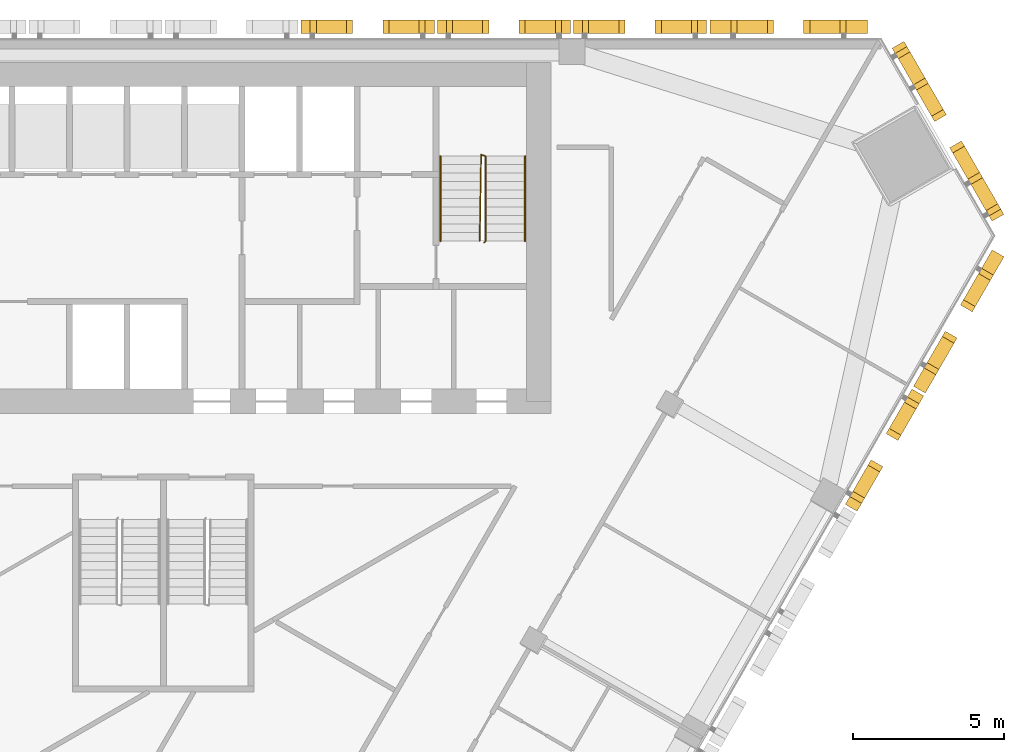
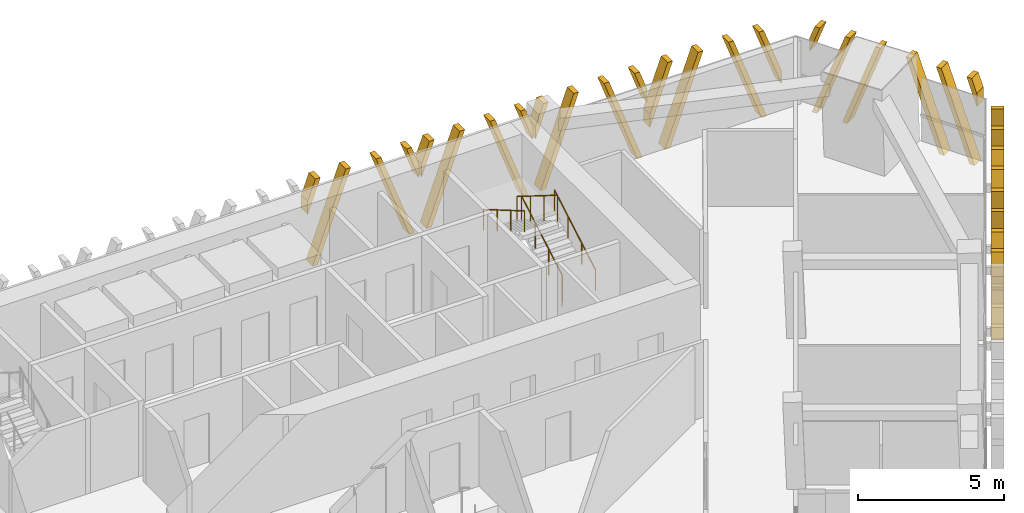
# One storey, part 14 of 15: 7 shading devices, 3 railings.
"""IFC4 building model written with IfcOpenShell, lengths in metres."""

from ifc_helpers import new_model, si_unit, direction, frame, origin, origin_2d, place, context, subcontext, project, spatial, polyline, circle, outline, extrude, source, transform, mapped, material, type_object, element, save


model = new_model("IFC4")

# Units and contexts
model_context = context("Model", 3, precision=1e-05, world=origin(), true_north=direction((0.0, 1.0)))
body_context = subcontext(model_context, "Body", "Model", "MODEL_VIEW")
ifc_project = project(units=[si_unit("LENGTHUNIT", "METRE"), si_unit("AREAUNIT", "SQUARE_METRE"), si_unit("VOLUMEUNIT", "CUBIC_METRE"), si_unit("PLANEANGLEUNIT", "RADIAN"), si_unit("MASSUNIT", "GRAM", prefix="KILO")], contexts=[model_context])

# Site, building, storey
site_placement = place(None, origin())
site = spatial("IfcSite", under=ifc_project, at=site_placement, CompositionType="ELEMENT")
building_placement = place(site_placement, origin())
building = spatial("IfcBuilding", under=site, at=building_placement, Name="Altiplano Prism Tower", CompositionType="ELEMENT")
storey_placement = place(building_placement, frame((0.0, 0.0, 142.199951171875)))
storey = spatial("IfcBuildingStorey", under=building, at=storey_placement, Name="L36", CompositionType="ELEMENT", Elevation=142.199951171875)

# Railings
ifc_material_1 = material(Name="Steel S355", Category="steel")
railing_type_1 = type_object("IfcRailingType", Name="Stair guard 1100", PredefinedType="GUARDRAIL", material=ifc_material_1)
railing_1_placement = place(storey_placement, frame((95.60009765625, 98.25, 0.0)))
element("IfcRailing", 1, at=railing_1_placement, inside=storey, type_object=railing_type_1, Name="L36 ST2 stair guard 1", PredefinedType="GUARDRAIL", context=body_context, shape_type="SweptSolid", body=[
    extrude(circle(Radius=0.02392578125, at=origin_2d()), frame((0.0, 0.0, 1.076171875), z_axis=(0.279546231943, 0.280916556609, 0.91811752648), x_axis=(-0.708833529934, 0.705375805398, 0.0)), (0.0, 0.0, 1.0), 0.17822265625),
    extrude(circle(Radius=0.02392578125, at=origin_2d()), frame((0.0498046875, 0.050048828125, 1.23974609375), z_axis=(0.0, 0.863360870873, 0.504586966384), x_axis=(-1.0, 0.0, 0.0)), (0.0, 0.0, 1.0), 3.2431640625),
    extrude(circle(Radius=0.02392578125, at=origin_2d()), frame((0.0498046875, 2.85009765625, 2.8759765625), z_axis=(-0.948991962702, 0.315300261223, 0.0), x_axis=(-0.315300261223, -0.948991962702, 0.0)), (0.0, 0.0, 1.0), 0.157958984375),
    extrude(circle(Radius=0.02392578125, at=origin_2d()), frame((-0.10009765625, 2.89990234375, 2.8759765625), z_axis=(-0.014846418356, -0.845376787675, 0.533964109957), x_axis=(0.999845825584, -0.017559187376, 0.0)), (0.0, 0.0, 1.0), 3.37109375),
    extrude(circle(Radius=0.02099609375, at=origin_2d()), origin(), (0.0, 0.0, 1.0), 1.052001953125),
    extrude(circle(Radius=0.02099609375, at=origin_2d()), frame((0.0498046875, 0.050048828125, 0.16357421875)), (0.0, 0.0, 1.0), 1.052001953125),
    extrude(circle(Radius=0.02099609375, at=origin_2d()), frame((0.0498046875, 0.9833984375, 0.708984375)), (0.0, 0.0, 1.0), 1.052001953125),
    extrude(circle(Radius=0.02099609375, at=origin_2d()), frame((0.0498046875, 1.916748046875, 1.254638671875)), (0.0, 0.0, 1.0), 1.052001953125),
    extrude(circle(Radius=0.02099609375, at=origin_2d()), frame((0.0498046875, 2.85009765625, 1.800048828125)), (0.0, 0.0, 1.0), 1.052001953125),
    extrude(circle(Radius=0.02099609375, at=origin_2d()), frame((-0.10009765625, 2.89990234375, 1.800048828125)), (0.0, 0.0, 1.0), 1.052001953125),
    extrude(circle(Radius=0.02099609375, at=origin_2d()), frame((-0.11669921875, 1.949951171875, 2.400146484375)), (0.0, 0.0, 1.0), 1.052001953125),
    extrude(circle(Radius=0.02099609375, at=origin_2d()), frame((-0.133544921875, 1.0, 3.0)), (0.0, 0.0, 1.0), 1.052001953125),
    extrude(circle(Radius=0.02099609375, at=origin_2d()), frame((-0.150146484375, 0.050048828125, 3.60009765625)), (0.0, 0.0, 1.0), 1.052001953125),
])
railing_type_2 = type_object("IfcRailingType", Name="Stair handrail 900", PredefinedType="HANDRAIL", material=ifc_material_1)
railing_2_placement = place(storey_placement, frame((96.949951171875, 98.300048828125, 0.16357421875)))
element("IfcRailing", 2, at=railing_2_placement, inside=storey, type_object=railing_type_2, Name="L36 ST2 stair handrail 1", PredefinedType="HANDRAIL", context=body_context, shape_type="SweptSolid", body=[
    extrude(circle(Radius=0.02392578125, at=origin_2d()), frame((0.0, 0.0, 0.8759765625), z_axis=(0.0, 0.863360870873, 0.504586966384), x_axis=(-1.0, 0.0, 0.0)), (0.0, 0.0, 1.0), 3.2431640625),
    extrude(circle(Radius=0.02099609375, at=origin_2d()), origin(), (0.0, 0.0, 1.0), 0.851806640625),
    extrude(circle(Radius=0.02099609375, at=origin_2d()), frame((0.0, 0.933349609375, 0.54541015625)), (0.0, 0.0, 1.0), 0.851806640625),
    extrude(circle(Radius=0.02099609375, at=origin_2d()), frame((0.0, 1.86669921875, 1.091064453125)), (0.0, 0.0, 1.0), 0.851806640625),
    extrude(circle(Radius=0.02099609375, at=origin_2d()), frame((0.0, 2.800048828125, 1.636474609375)), (0.0, 0.0, 1.0), 0.851806640625),
])
railing_3_placement = place(storey_placement, frame((94.14990234375, 101.10009765625, 1.963623046875)))
element("IfcRailing", 3, at=railing_3_placement, inside=storey, type_object=railing_type_2, Name="L36 ST2 stair handrail 2", PredefinedType="HANDRAIL", context=body_context, shape_type="SweptSolid", body=[
    extrude(circle(Radius=0.02392578125, at=origin_2d()), frame((0.0, 0.0, 0.8759765625), z_axis=(0.0, -0.863360870873, 0.504586966384), x_axis=(1.0, 0.0, 0.0)), (0.0, 0.0, 1.0), 3.2431640625),
    extrude(circle(Radius=0.02099609375, at=origin_2d()), origin(), (0.0, 0.0, 1.0), 0.851806640625),
    extrude(circle(Radius=0.02099609375, at=origin_2d()), frame((0.0, -0.933349609375, 0.54541015625)), (0.0, 0.0, 1.0), 0.851806640625),
    extrude(circle(Radius=0.02099609375, at=origin_2d()), frame((0.0, -1.86669921875, 1.091064453125)), (0.0, 0.0, 1.0), 0.851806640625),
    extrude(circle(Radius=0.02099609375, at=origin_2d()), frame((0.0, -2.800048828125, 1.636474609375)), (0.0, 0.0, 1.0), 0.851806640625),
])

# Shading devices
ifc_material_2 = material(Name="Warm limestone cast stone", Category="masonry")
shading_device_type_1 = type_object("IfcShadingDeviceType", Name="Stone fin panel, standard unit", PredefinedType="USERDEFINED", material=ifc_material_2)
shared_shape_1 = source(origin(), body_context, "Body", "SweptSolid", [
    extrude(outline(polyline([(-2.199951171875, 2.226318359375), (-1.699951171875, 3.60009765625), (-1.89990234375, 3.60009765625), (-2.199951171875, 2.77587890625), (-2.199951171875, 2.226318359375)])), frame((0.0, -0.14990234375, 0.0), z_axis=(0.0, -1.0, 0.0), x_axis=(1.0, 0.0, 0.0)), (0.0, 0.0, 1.0), 0.4501953125),
    extrude(outline(polyline([(-2.01025390625, 0.0), (-1.810302734375, 0.0), (-0.5, 3.60009765625), (-0.699951171875, 3.60009765625), (-2.01025390625, 0.0)])), frame((0.0, -0.14990234375, 0.0), z_axis=(0.0, -1.0, 0.0), x_axis=(1.0, 0.0, 0.0)), (0.0, 0.0, 1.0), 0.4501953125),
    extrude(outline(polyline([(1.810302734375, 0.0), (2.01025390625, 0.0), (0.699951171875, 3.60009765625), (0.5, 3.60009765625), (1.810302734375, 0.0)])), frame((0.0, -0.14990234375, 0.0), z_axis=(0.0, -1.0, 0.0), x_axis=(1.0, 0.0, 0.0)), (0.0, 0.0, 1.0), 0.4501953125),
    extrude(outline(polyline([(2.199951171875, 2.77587890625), (1.89990234375, 3.60009765625), (1.699951171875, 3.60009765625), (2.199951171875, 2.226318359375), (2.199951171875, 2.77587890625)])), frame((0.0, -0.14990234375, 0.0), z_axis=(0.0, -1.0, 0.0), x_axis=(1.0, 0.0, 0.0)), (0.0, 0.0, 1.0), 0.4501953125),
])
shading_device_1_placement = place(storey_placement, origin())
element("IfcShadingDevice", 4, at=shading_device_1_placement, inside=storey, type_object=shading_device_type_1, Name="Fin L36 north face 2", ObjectType="FIN", PredefinedType="USERDEFINED", context=body_context, shape_type="MappedRepresentation", body=[
    mapped(shared_shape_1, transform((100.75, 105.0, -0.449951171875), x_axis=(-1.0, 0.0, 0.0), y_axis=(0.0, -1.0, 0.0), z_axis=(0.0, 0.0, 1.0))),
])
shading_device_2_placement = place(storey_placement, origin())
element("IfcShadingDevice", 5, at=shading_device_2_placement, inside=storey, type_object=shading_device_type_1, Name="Fin L36 north face 3", ObjectType="FIN", PredefinedType="USERDEFINED", context=body_context, shape_type="MappedRepresentation", body=[
    mapped(shared_shape_1, transform((96.25, 105.0, -0.449951171875), x_axis=(-1.0, 0.0, 0.0), y_axis=(0.0, -1.0, 0.0), z_axis=(0.0, 0.0, 1.0))),
])
shading_device_3_placement = place(storey_placement, origin())
element("IfcShadingDevice", 6, at=shading_device_3_placement, inside=storey, type_object=shading_device_type_1, Name="Fin L36 north face 4", ObjectType="FIN", PredefinedType="USERDEFINED", context=body_context, shape_type="MappedRepresentation", body=[
    mapped(shared_shape_1, transform((91.75, 105.0, -0.449951171875), x_axis=(-1.0, 0.0, 0.0), y_axis=(0.0, -1.0, 0.0), z_axis=(0.0, 0.0, 1.0))),
])
shading_device_4_placement = place(storey_placement, origin())
element("IfcShadingDevice", 7, at=shading_device_4_placement, inside=storey, type_object=shading_device_type_1, Name="Fin L36 south-east face 9", ObjectType="FIN", PredefinedType="USERDEFINED", context=body_context, shape_type="MappedRepresentation", body=[
    mapped(shared_shape_1, transform((108.501953125, 91.573486328125, -0.449951171875), x_axis=(0.50000000109, 0.866025403155, 0.0), y_axis=(-0.866025403155, 0.50000000109, 0.0), z_axis=(0.0, 0.0, 1.0))),
])
shading_device_type_2 = type_object("IfcShadingDeviceType", Name="Stone fin panel, wide closing bay", PredefinedType="USERDEFINED", material=ifc_material_2)
shared_shape_2 = source(origin(), body_context, "Body", "SweptSolid", [
    extrude(outline(polyline([(-2.60009765625, 1.127197265625), (-1.699951171875, 3.60009765625), (-1.89990234375, 3.60009765625), (-2.60009765625, 1.6767578125), (-2.60009765625, 1.127197265625)])), frame((0.0, -0.14990234375, 0.0), z_axis=(0.0, -1.0, 0.0), x_axis=(1.0, 0.0, 0.0)), (0.0, 0.0, 1.0), 0.4501953125),
    extrude(outline(polyline([(-2.01025390625, 0.0), (-1.810302734375, 0.0), (-0.5, 3.60009765625), (-0.699951171875, 3.60009765625), (-2.01025390625, 0.0)])), frame((0.0, -0.14990234375, 0.0), z_axis=(0.0, -1.0, 0.0), x_axis=(1.0, 0.0, 0.0)), (0.0, 0.0, 1.0), 0.4501953125),
    extrude(outline(polyline([(1.810302734375, 0.0), (2.01025390625, 0.0), (0.699951171875, 3.60009765625), (0.5, 3.60009765625), (1.810302734375, 0.0)])), frame((0.0, -0.14990234375, 0.0), z_axis=(0.0, -1.0, 0.0), x_axis=(1.0, 0.0, 0.0)), (0.0, 0.0, 1.0), 0.4501953125),
    extrude(outline(polyline([(2.60009765625, 1.6767578125), (1.89990234375, 3.60009765625), (1.699951171875, 3.60009765625), (2.60009765625, 1.127197265625), (2.60009765625, 1.6767578125)])), frame((0.0, -0.14990234375, 0.0), z_axis=(0.0, -1.0, 0.0), x_axis=(1.0, 0.0, 0.0)), (0.0, 0.0, 1.0), 0.4501953125),
])
shading_device_5_placement = place(storey_placement, origin())
element("IfcShadingDevice", 8, at=shading_device_5_placement, inside=storey, type_object=shading_device_type_2, Name="Fin L36 north face 1", ObjectType="FIN", PredefinedType="USERDEFINED", context=body_context, shape_type="MappedRepresentation", body=[
    mapped(shared_shape_2, transform((105.658447265625, 105.0, -0.449951171875), x_axis=(-1.0, 0.0, 0.0), y_axis=(0.0, -1.0, 0.0), z_axis=(0.0, 0.0, 1.0))),
])
shading_device_6_placement = place(storey_placement, origin())
element("IfcShadingDevice", 9, at=shading_device_6_placement, inside=storey, type_object=shading_device_type_2, Name="Fin L36 south-east face 10", ObjectType="FIN", PredefinedType="USERDEFINED", context=body_context, shape_type="MappedRepresentation", body=[
    mapped(shared_shape_2, transform((110.9560546875, 95.82421875, -0.449951171875), x_axis=(0.50000000109, 0.866025403155, 0.0), y_axis=(-0.866025403155, 0.50000000109, 0.0), z_axis=(0.0, 0.0, 1.0))),
])
shading_device_type_3 = type_object("IfcShadingDeviceType", Name="Stone fin panel, chamfer unit", PredefinedType="USERDEFINED", material=ifc_material_2)
shared_shape_3 = source(origin(), body_context, "Body", "SweptSolid", [
    extrude(outline(polyline([(-3.300048828125, 2.5009765625), (-2.89990234375, 3.60009765625), (-3.10009765625, 3.60009765625), (-3.300048828125, 3.050537109375), (-3.300048828125, 2.5009765625)])), frame((0.0, -0.14990234375, 0.0), z_axis=(0.0, -1.0, 0.0), x_axis=(1.0, 0.0, 0.0)), (0.0, 0.0, 1.0), 0.4501953125),
    extrude(outline(polyline([(-3.210205078125, 0.0), (-3.01025390625, 0.0), (-1.699951171875, 3.60009765625), (-1.89990234375, 3.60009765625), (-3.210205078125, 0.0)])), frame((0.0, -0.14990234375, 0.0), z_axis=(0.0, -1.0, 0.0), x_axis=(1.0, 0.0, 0.0)), (0.0, 0.0, 1.0), 0.4501953125),
    extrude(outline(polyline([(-2.01025390625, 0.0), (-1.810302734375, 0.0), (-0.5, 3.60009765625), (-0.699951171875, 3.60009765625), (-2.01025390625, 0.0)])), frame((0.0, -0.14990234375, 0.0), z_axis=(0.0, -1.0, 0.0), x_axis=(1.0, 0.0, 0.0)), (0.0, 0.0, 1.0), 0.4501953125),
    extrude(outline(polyline([(1.810302734375, 0.0), (2.01025390625, 0.0), (0.699951171875, 3.60009765625), (0.5, 3.60009765625), (1.810302734375, 0.0)])), frame((0.0, -0.14990234375, 0.0), z_axis=(0.0, -1.0, 0.0), x_axis=(1.0, 0.0, 0.0)), (0.0, 0.0, 1.0), 0.4501953125),
    extrude(outline(polyline([(3.01025390625, 0.0), (3.210205078125, 0.0), (1.89990234375, 3.60009765625), (1.699951171875, 3.60009765625), (3.01025390625, 0.0)])), frame((0.0, -0.14990234375, 0.0), z_axis=(0.0, -1.0, 0.0), x_axis=(1.0, 0.0, 0.0)), (0.0, 0.0, 1.0), 0.4501953125),
    extrude(outline(polyline([(3.300048828125, 3.050537109375), (3.10009765625, 3.60009765625), (2.89990234375, 3.60009765625), (3.300048828125, 2.5009765625), (3.300048828125, 3.050537109375)])), frame((0.0, -0.14990234375, 0.0), z_axis=(0.0, -1.0, 0.0), x_axis=(1.0, 0.0, 0.0)), (0.0, 0.0, 1.0), 0.4501953125),
])
shading_device_7_placement = place(storey_placement, origin())
element("IfcShadingDevice", 10, at=shading_device_7_placement, inside=storey, type_object=shading_device_type_3, Name="Fin L36 north-east chamfer 1", ObjectType="FIN", PredefinedType="USERDEFINED", context=body_context, shape_type="MappedRepresentation", body=[
    mapped(shared_shape_3, transform((110.60107421875, 101.736328125, -0.449951171875), x_axis=(-0.500000004956, 0.866025400923, 0.0), y_axis=(-0.866025400923, -0.500000004956, 0.0), z_axis=(0.0, 0.0, 1.0))),
])

save(model, "model.ifc")
